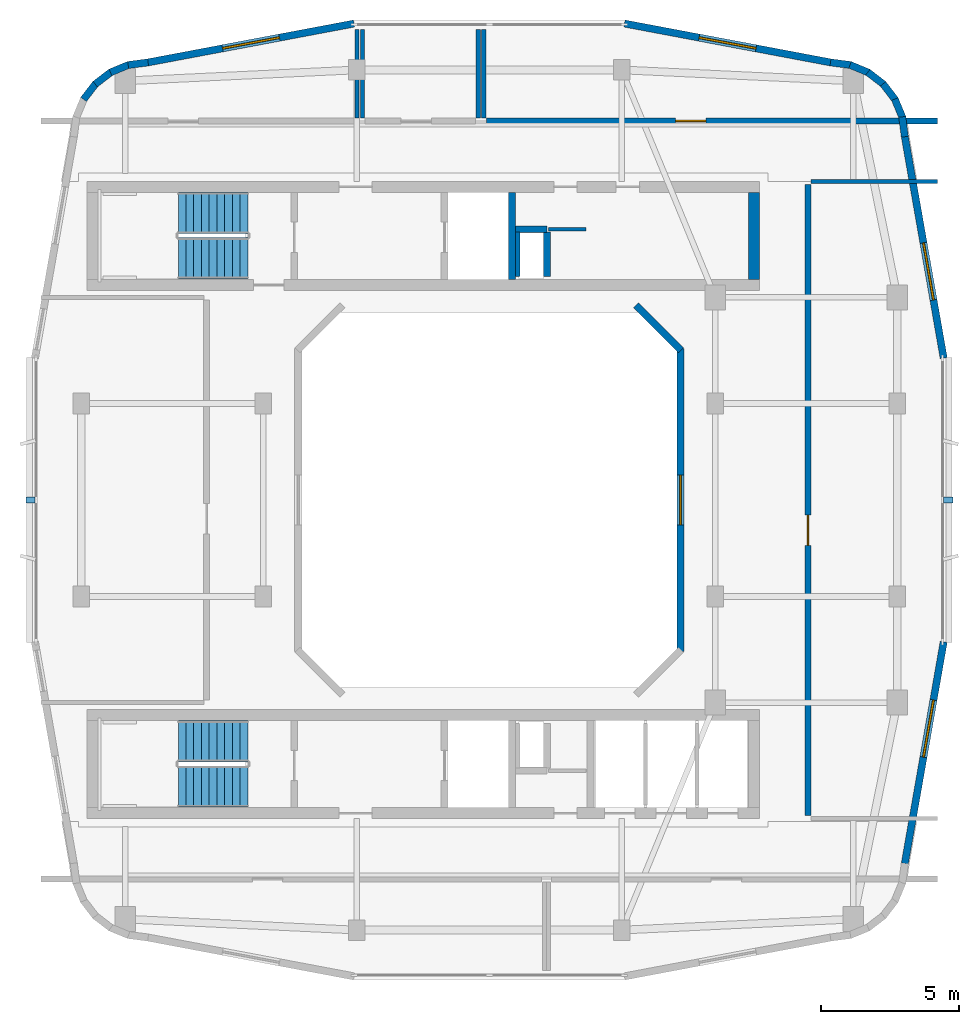
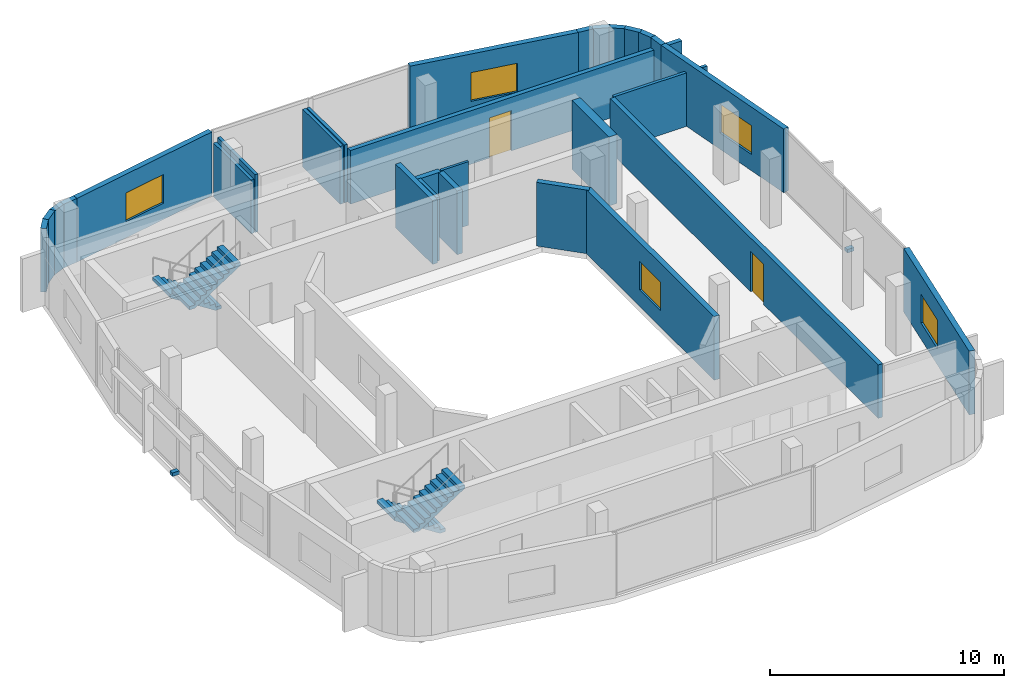
# One storey, part 5 of 8: 29 walls, 5 windows, 4 stair flights, 2 discrete accessories, 2 doors, 7 openings, 2 elements without a shape of their own.
"""IFC4 building model written with IfcOpenShell, lengths in metres."""

from ifc_helpers import new_model, si_unit, derived_unit, direction, frame, frame_2d, origin, origin_2d, place, context, subcontext, project, spatial, polyline, rectangle, outline, extrude, material, layer, layer_set, type_object, element, fill, aggregate, save


model = new_model("IFC4")

# Units and contexts
model_context = context("Model", 3, precision=1e-05, world=origin(), true_north=direction((0.0, 1.0)))
body_context = subcontext(model_context, "Body", "Model", "MODEL_VIEW")
ifc_project = project(units=[si_unit("LENGTHUNIT", "METRE"), si_unit("AREAUNIT", "SQUARE_METRE"), si_unit("VOLUMEUNIT", "CUBIC_METRE"), si_unit("PLANEANGLEUNIT", "RADIAN"), si_unit("MASSUNIT", "GRAM", prefix="KILO"), derived_unit("THERMALTRANSMITTANCEUNIT", [(si_unit("POWERUNIT", "WATT"), 1), (si_unit("LENGTHUNIT", "METRE"), -2), (si_unit("THERMODYNAMICTEMPERATUREUNIT", "KELVIN"), -1)])], contexts=[model_context])

# Site, building, storey
site_placement = place(None, origin())
site = spatial("IfcSite", under=ifc_project, at=site_placement, CompositionType="ELEMENT")
building_placement = place(site_placement, origin())
building = spatial("IfcBuilding", under=site, at=building_placement, Name="Kivonza Crest Hotel", CompositionType="ELEMENT")
storey_placement = place(building_placement, frame((0.0, 0.0, 268.39990234375)))
storey = spatial("IfcBuildingStorey", under=building, at=storey_placement, Name="L73", CompositionType="ELEMENT", Elevation=268.39990234375)

# Wall, opening, door
ifc_material_1 = material(Name="Autoclaved aerated concrete blockwork", Category="masonry")
ifc_layer_1 = layer(ifc_material_1, 0.219970703125)
ifc_layer_set_1 = layer_set([ifc_layer_1], Name="Autoclaved aerated concrete blockwork")
wall_type_1 = type_object("IfcWallType", Name="WL-ACOU-220", PredefinedType="SOLIDWALL", material=ifc_layer_set_1)
wall_1_placement = place(storey_placement, frame((32.56005859375, 13.550048828125, 0.0), z_axis=(0.0, 0.0, 1.0), x_axis=(0.0, 1.0, 0.0)))
wall_1 = element("IfcWall", 1, at=wall_1_placement, inside=storey, type_object=wall_type_1, Name="L73 interior partition WA-L73-OBSGAL-W", PredefinedType="SOLIDWALL", context=body_context, shape_type="SweptSolid", body=[
    extrude(rectangle(XDim=22.89990234375, YDim=0.219970703125, at=frame_2d((11.449951171875, 0.0))), origin(), (0.0, 0.0, 1.0), 2.795166015625),
])
opening_1_placement = place(wall_1_placement, frame((9.800048828125, 0.0, 0.0)))
opening_1 = element("IfcOpeningElement", 2, at=opening_1_placement, cuts=wall_1, Name="Opening DF-60M", PredefinedType="OPENING", context=body_context, shape_type="SweptSolid", body=[
    extrude(rectangle(XDim=1.10009765625, YDim=2.10009765625, at=frame_2d((0.550048828125, 1.050048828125))), frame((0.0, 0.1201171875, 0.0), z_axis=(0.0, -1.0, 0.0), x_axis=(1.0, 0.0, 0.0)), (0.0, 0.0, 1.0), 0.239990234375),
])
ifc_material_2 = material(Name="Hardwood timber oak", Category="wood")
door_type = type_object("IfcDoorType", Name="DR-FD60-1100", OperationType="NOTDEFINED", PredefinedType="DOOR", material=ifc_material_2)
door_1_placement = place(opening_1_placement, frame((1.10009765625, 0.0, 0.0), z_axis=(0.0, 0.0, 1.0), x_axis=(-1.0, 0.0, 0.0)))
door_1 = element("IfcDoor", 3, at=door_1_placement, inside=storey, type_object=door_type, Name="L73 Public Observation Gallery door", OperationType="SINGLE_SWING_LEFT", OverallHeight=2.10009765625, OverallWidth=1.10009765625, PredefinedType="DOOR", context=body_context, shape_type="SweptSolid", body=[
    extrude(rectangle(XDim=1.10009765625, YDim=2.10009765625, at=frame_2d((0.550048828125, 1.050048828125))), frame((0.0, 0.02490234375, 0.0), z_axis=(0.0, -1.0, 0.0), x_axis=(1.0, 0.0, 0.0)), (0.0, 0.0, 1.0), 0.050048828125),
])
fill(opening_1, door_1)

wall_2_placement = place(storey_placement, frame((20.89990234375, 38.75, 0.0), z_axis=(0.0, 0.0, 1.0), x_axis=(1.0, 0.0, 0.0)))
wall_2 = element("IfcWall", 4, at=wall_2_placement, inside=storey, type_object=wall_type_1, Name="L73 interior partition WA-L73-EXHIBE-S", PredefinedType="SOLIDWALL", context=body_context, shape_type="SweptSolid", body=[
    extrude(rectangle(XDim=16.360107421875, YDim=0.219970703125, at=frame_2d((8.18017578125, 0.0))), origin(), (0.0, 0.0, 1.0), 2.795166015625),
])
opening_2_placement = place(wall_2_placement, frame((6.85693359375, 0.0, 0.0)))
opening_2 = element("IfcOpeningElement", 5, at=opening_2_placement, cuts=wall_2, Name="Opening DF-60M", PredefinedType="OPENING", context=body_context, shape_type="SweptSolid", body=[
    extrude(rectangle(XDim=1.10009765625, YDim=2.10009765625, at=frame_2d((0.550048828125, 1.050048828125))), frame((0.0, 0.1201171875, 0.0), z_axis=(0.0, -1.0, 0.0), x_axis=(1.0, 0.0, 0.0)), (0.0, 0.0, 1.0), 0.239990234375),
])
door_2_placement = place(opening_2_placement, origin())
door_2 = element("IfcDoor", 6, at=door_2_placement, inside=storey, type_object=door_type, Name="L73 North Observation Salon door", OperationType="SINGLE_SWING_LEFT", OverallHeight=2.10009765625, OverallWidth=1.10009765625, PredefinedType="DOOR", context=body_context, shape_type="SweptSolid", body=[
    extrude(rectangle(XDim=1.10009765625, YDim=2.10009765625, at=frame_2d((0.550048828125, 1.050048828125))), frame((0.0, 0.02490234375, 0.0), z_axis=(0.0, -1.0, 0.0), x_axis=(1.0, 0.0, 0.0)), (0.0, 0.0, 1.0), 0.050048828125),
])
fill(opening_2, door_2)

# Wall
ifc_material_3 = material(Name="Concrete C50/60", Category="concrete")
ifc_layer_2 = layer(ifc_material_3, 0.39990234375)
ifc_layer_set_2 = layer_set([ifc_layer_2], Name="Concrete C50/60")
wall_type_2 = type_object("IfcWallType", Name="WL-CORE-400", PredefinedType="SHEAR", material=ifc_layer_set_2)
wall_3_placement = place(storey_placement, frame((30.60009765625, 33.0, 0.0), z_axis=(0.0, 0.0, 1.0), x_axis=(0.0, 1.0, 0.0)))
element("IfcWall", 7, at=wall_3_placement, inside=storey, type_object=wall_type_2, Name="Core wall T1-N East L73", PredefinedType="SHEAR", context=body_context, shape_type="SweptSolid", body=[
    extrude(rectangle(XDim=3.159912109375, YDim=0.39990234375, at=frame_2d((1.580078125, 0.0))), origin(), (0.0, 0.0, 1.0), 3.60009765625),
])

# Wall, opening, window
ifc_material_4 = material(Name="Precast concrete C40/50", Category="concrete")
ifc_layer_3 = layer(ifc_material_4, 0.260009765625)
ifc_layer_set_3 = layer_set([ifc_layer_3], Name="Precast concrete C40/50")
wall_type_3 = type_object("IfcWallType", Name="WL-EXT-260", PredefinedType="STANDARD", material=ifc_layer_set_3)
wall_4_placement = place(storey_placement, frame((36.071044921875, 11.81396484375, 0.0), z_axis=(0.0, 0.0, 1.0), x_axis=(0.172801004781, 0.98495675679, 0.0)))
wall_4 = element("IfcWall", 8, at=wall_4_placement, inside=storey, type_object=wall_type_3, Name="L73 T1 exterior insulated wall 16", PredefinedType="STANDARD", context=body_context, shape_type="SweptSolid", body=[
    extrude(rectangle(XDim=8.164794921875, YDim=0.260009765625, at=frame_2d((4.08251953125, 0.0))), origin(), (0.0, 0.0, 1.0), 3.320068359375),
])
opening_3_placement = place(wall_4_placement, frame((3.9208984375, 0.0, 0.85009765625)))
opening_3 = element("IfcOpeningElement", 9, at=opening_3_placement, cuts=wall_4, Name="Opening WN-04", PredefinedType="OPENING", context=body_context, shape_type="SweptSolid", body=[
    extrude(rectangle(XDim=2.10009765625, YDim=1.5, at=frame_2d((1.050048828125, 0.75))), frame((0.0, 0.14013671875, 0.0), z_axis=(0.0, -1.0, 0.0), x_axis=(1.0, 0.0, 0.0)), (0.0, 0.0, 1.0), 0.280029296875),
])
ifc_material_5 = material(Name="Thermally broken bronze aluminium and low-E double glazing", Category="aluminium")
window_type_1 = type_object("IfcWindowType", Name="WN-210x150", PartitioningType="DOUBLE_PANEL_VERTICAL", PredefinedType="WINDOW", material=ifc_material_5)
window_1_placement = place(opening_3_placement, origin())
window_1 = element("IfcWindow", 10, at=window_1_placement, inside=storey, type_object=window_type_1, Name="L73 T1 facade window 16", OverallHeight=1.5, OverallWidth=2.10009765625, PartitioningType="SINGLE_PANEL", PredefinedType="WINDOW", context=body_context, shape_type="SweptSolid", body=[
    extrude(rectangle(XDim=2.10009765625, YDim=1.5, at=frame_2d((1.050048828125, 0.75))), frame((0.0, 0.030029296875, 0.0), z_axis=(0.0, -1.0, 0.0), x_axis=(1.0, 0.0, 0.0)), (0.0, 0.0, 1.0), 0.06005859375),
])
fill(opening_3, window_1)

wall_5_placement = place(storey_placement, frame((37.48193359375, 30.14404296875, 0.0), z_axis=(0.0, 0.0, 1.0), x_axis=(-0.172801004781, 0.98495675679, 0.0)))
wall_5 = element("IfcWall", 11, at=wall_5_placement, inside=storey, type_object=wall_type_3, Name="L73 T1 exterior insulated wall 18", PredefinedType="STANDARD", context=body_context, shape_type="SweptSolid", body=[
    extrude(rectangle(XDim=8.164794921875, YDim=0.260009765625, at=frame_2d((4.08251953125, 0.0))), origin(), (0.0, 0.0, 1.0), 3.320068359375),
])
opening_4_placement = place(wall_5_placement, frame((2.14404296875, 0.0, 0.85009765625)))
opening_4 = element("IfcOpeningElement", 12, at=opening_4_placement, cuts=wall_5, Name="Opening WN-04", PredefinedType="OPENING", context=body_context, shape_type="SweptSolid", body=[
    extrude(rectangle(XDim=2.10009765625, YDim=1.5, at=frame_2d((1.050048828125, 0.75))), frame((0.0, 0.14013671875, 0.0), z_axis=(0.0, -1.0, 0.0), x_axis=(1.0, 0.0, 0.0)), (0.0, 0.0, 1.0), 0.280029296875),
])
window_2_placement = place(opening_4_placement, origin())
window_2 = element("IfcWindow", 13, at=window_2_placement, inside=storey, type_object=window_type_1, Name="L73 T1 facade window 18", OverallHeight=1.5, OverallWidth=2.10009765625, PartitioningType="SINGLE_PANEL", PredefinedType="WINDOW", context=body_context, shape_type="SweptSolid", body=[
    extrude(rectangle(XDim=2.10009765625, YDim=1.5, at=frame_2d((1.050048828125, 0.75))), frame((0.0, 0.030029296875, 0.0), z_axis=(0.0, -1.0, 0.0), x_axis=(1.0, 0.0, 0.0)), (0.0, 0.0, 1.0), 0.06005859375),
])
fill(opening_4, window_2)

# Walls
wall_6_placement = place(storey_placement, frame((36.072021484375, 38.175048828125, 0.0), z_axis=(0.0, 0.0, 1.0), x_axis=(-0.130255288807, 0.991480488834, 0.0)))
element("IfcWall", 14, at=wall_6_placement, inside=storey, type_object=wall_type_3, Name="L73 T1 exterior insulated wall 19", PredefinedType="STANDARD", context=body_context, shape_type="SweptSolid", body=[
    extrude(rectangle(XDim=0.72900390625, YDim=0.260009765625, at=frame_2d((0.364501953125, 0.0))), origin(), (0.0, 0.0, 1.0), 3.320068359375),
])
for number, where, z_axis, x_axis, name in (
    (15, (35.9951171875, 38.85205078125, 0.0), (0.0, 0.0, 1.0), (-0.383546213491, 0.923521684703, 0.0), "L73 T1 exterior insulated wall 20"),
    (16, (35.737060546875, 39.5009765625, 0.0), (0.0, 0.0, 1.0), (-0.608603261071, 0.793474681772, 0.0), "L73 T1 exterior insulated wall 21"),
    (17, (35.321044921875, 40.06201171875, 0.0), (0.0, 0.0, 1.0), (-0.793474681772, 0.608603261071, 0.0), "L73 T1 exterior insulated wall 22"),
):
    element("IfcWall", number, at=place(storey_placement, frame(where, z_axis=z_axis, x_axis=x_axis)), inside=storey, type_object=wall_type_3, Name=name, PredefinedType="STANDARD", context=body_context, shape_type="SweptSolid", body=[
        extrude(rectangle(XDim=0.74609375, YDim=0.260009765625, at=frame_2d((0.373046875, 0.0))), origin(), (0.0, 0.0, 1.0), 3.320068359375),
    ])
wall_7_placement = place(storey_placement, frame((34.77294921875, 40.4951171875, 0.0), z_axis=(0.0, 0.0, 1.0), x_axis=(-0.923637576129, 0.383267045233, 0.0)))
element("IfcWall", 18, at=wall_7_placement, inside=storey, type_object=wall_type_3, Name="L73 T1 exterior insulated wall 23", PredefinedType="STANDARD", context=body_context, shape_type="SweptSolid", body=[
    extrude(rectangle(XDim=0.745849609375, YDim=0.260009765625, at=frame_2d((0.373046875, 0.0))), origin(), (0.0, 0.0, 1.0), 3.320068359375),
])
wall_8_placement = place(storey_placement, frame((34.133056640625, 40.77294921875, 0.0), z_axis=(0.0, 0.0, 1.0), x_axis=(-0.991559404866, 0.129653178221, 0.0)))
element("IfcWall", 19, at=wall_8_placement, inside=storey, type_object=wall_type_3, Name="L73 T1 exterior insulated wall 24", PredefinedType="STANDARD", context=body_context, shape_type="SweptSolid", body=[
    extrude(rectangle(XDim=0.764404296875, YDim=0.260009765625, at=frame_2d((0.38232421875, 0.0))), origin(), (0.0, 0.0, 1.0), 3.320068359375),
])

# Wall, opening, window
wall_9_placement = place(storey_placement, frame((33.384033203125, 40.87109375, 0.0), z_axis=(0.0, 0.0, 1.0), x_axis=(-0.982680718126, 0.185306789468, 0.0)))
wall_9 = element("IfcWall", 20, at=wall_9_placement, inside=storey, type_object=wall_type_3, Name="L73 T1 exterior insulated wall 25", PredefinedType="STANDARD", context=body_context, shape_type="SweptSolid", body=[
    extrude(rectangle(XDim=7.61376953125, YDim=0.260009765625, at=frame_2d((3.806884765625, 0.0))), origin(), (0.0, 0.0, 1.0), 3.320068359375),
])
opening_5_placement = place(wall_9_placement, frame((2.757080078125, 0.0, 0.85009765625)))
opening_5 = element("IfcOpeningElement", 21, at=opening_5_placement, cuts=wall_9, Name="Opening WN-04", PredefinedType="OPENING", context=body_context, shape_type="SweptSolid", body=[
    extrude(rectangle(XDim=2.10009765625, YDim=1.5, at=frame_2d((1.050048828125, 0.75))), frame((0.0, 0.14013671875, 0.0), z_axis=(0.0, -1.0, 0.0), x_axis=(1.0, 0.0, 0.0)), (0.0, 0.0, 1.0), 0.280029296875),
])
window_3_placement = place(opening_5_placement, origin())
window_3 = element("IfcWindow", 22, at=window_3_placement, inside=storey, type_object=window_type_1, Name="L73 T1 facade window 25", OverallHeight=1.5, OverallWidth=2.10009765625, PartitioningType="SINGLE_PANEL", PredefinedType="WINDOW", context=body_context, shape_type="SweptSolid", body=[
    extrude(rectangle(XDim=2.10009765625, YDim=1.5, at=frame_2d((1.050048828125, 0.75))), frame((0.0, 0.030029296875, 0.0), z_axis=(0.0, -1.0, 0.0), x_axis=(1.0, 0.0, 0.0)), (0.0, 0.0, 1.0), 0.06005859375),
])
fill(opening_5, window_3)

wall_10_placement = place(storey_placement, frame((16.097900390625, 42.281982421875, 0.0), z_axis=(0.0, 0.0, 1.0), x_axis=(-0.982680718126, -0.185306789468, 0.0)))
wall_10 = element("IfcWall", 23, at=wall_10_placement, inside=storey, type_object=wall_type_3, Name="L73 T1 exterior insulated wall 27", PredefinedType="STANDARD", context=body_context, shape_type="SweptSolid", body=[
    extrude(rectangle(XDim=7.61376953125, YDim=0.260009765625, at=frame_2d((3.806884765625, 0.0))), origin(), (0.0, 0.0, 1.0), 3.320068359375),
])
opening_6_placement = place(wall_10_placement, frame((2.757080078125, 0.0, 0.85009765625)))
opening_6 = element("IfcOpeningElement", 24, at=opening_6_placement, cuts=wall_10, Name="Opening WN-04", PredefinedType="OPENING", context=body_context, shape_type="SweptSolid", body=[
    extrude(rectangle(XDim=2.10009765625, YDim=1.5, at=frame_2d((1.050048828125, 0.75))), frame((0.0, 0.14013671875, 0.0), z_axis=(0.0, -1.0, 0.0), x_axis=(1.0, 0.0, 0.0)), (0.0, 0.0, 1.0), 0.280029296875),
])
window_4_placement = place(opening_6_placement, origin())
window_4 = element("IfcWindow", 25, at=window_4_placement, inside=storey, type_object=window_type_1, Name="L73 T1 facade window 27", OverallHeight=1.5, OverallWidth=2.10009765625, PartitioningType="SINGLE_PANEL", PredefinedType="WINDOW", context=body_context, shape_type="SweptSolid", body=[
    extrude(rectangle(XDim=2.10009765625, YDim=1.5, at=frame_2d((1.050048828125, 0.75))), frame((0.0, 0.030029296875, 0.0), z_axis=(0.0, -1.0, 0.0), x_axis=(1.0, 0.0, 0.0)), (0.0, 0.0, 1.0), 0.06005859375),
])
fill(opening_6, window_4)

# Walls
wall_11_placement = place(storey_placement, frame((8.625, 40.8720703125, 0.0), z_axis=(0.0, 0.0, 1.0), x_axis=(-0.991480488834, -0.130255288807, 0.0)))
element("IfcWall", 26, at=wall_11_placement, inside=storey, type_object=wall_type_3, Name="L73 T1 exterior insulated wall 28", PredefinedType="STANDARD", context=body_context, shape_type="SweptSolid", body=[
    extrude(rectangle(XDim=0.72900390625, YDim=0.260009765625, at=frame_2d((0.364501953125, 0.0))), origin(), (0.0, 0.0, 1.0), 3.320068359375),
])
wall_12_placement = place(storey_placement, frame((7.947998046875, 40.794921875, 0.0), z_axis=(0.0, 0.0, 1.0), x_axis=(-0.923637576129, -0.383267045233, 0.0)))
element("IfcWall", 27, at=wall_12_placement, inside=storey, type_object=wall_type_3, Name="L73 T1 exterior insulated wall 29", PredefinedType="STANDARD", context=body_context, shape_type="SweptSolid", body=[
    extrude(rectangle(XDim=0.745849609375, YDim=0.260009765625, at=frame_2d((0.373046875, 0.0))), origin(), (0.0, 0.0, 1.0), 3.320068359375),
])
for number, where, z_axis, x_axis, name in (
    (28, (7.299072265625, 40.537109375, 0.0), (0.0, 0.0, 1.0), (-0.793474681772, -0.608603261071, 0.0), "L73 T1 exterior insulated wall 30"),
    (29, (6.738037109375, 40.12109375, 0.0), (0.0, 0.0, 1.0), (-0.608603261071, -0.793474681772, 0.0), "L73 T1 exterior insulated wall 31"),
):
    element("IfcWall", number, at=place(storey_placement, frame(where, z_axis=z_axis, x_axis=x_axis)), inside=storey, type_object=wall_type_3, Name=name, PredefinedType="STANDARD", context=body_context, shape_type="SweptSolid", body=[
        extrude(rectangle(XDim=0.74609375, YDim=0.260009765625, at=frame_2d((0.373046875, 0.0))), origin(), (0.0, 0.0, 1.0), 3.320068359375),
    ])

# Wall, opening, window
wall_13_placement = place(storey_placement, frame((27.929931640625, 19.510009765625, 0.0), z_axis=(0.0, 0.0, 1.0), x_axis=(0.0, 1.0, 0.0)))
wall_13 = element("IfcWall", 30, at=wall_13_placement, inside=storey, type_object=wall_type_3, Name="L73 T1 light-well exterior wall 3", PredefinedType="STANDARD", context=body_context, shape_type="SweptSolid", body=[
    extrude(rectangle(XDim=10.97998046875, YDim=0.260009765625, at=frame_2d((5.489990234375, 0.0))), origin(), (0.0, 0.0, 1.0), 3.320068359375),
])
opening_7_placement = place(wall_13_placement, frame((4.590087890625, 0.0, 0.85009765625)))
opening_7 = element("IfcOpeningElement", 31, at=opening_7_placement, cuts=wall_13, Name="Opening WN-03", PredefinedType="OPENING", context=body_context, shape_type="SweptSolid", body=[
    extrude(rectangle(XDim=1.800048828125, YDim=1.5, at=frame_2d((0.89990234375, 0.75))), frame((0.0, 0.14013671875, 0.0), z_axis=(0.0, -1.0, 0.0), x_axis=(1.0, 0.0, 0.0)), (0.0, 0.0, 1.0), 0.280029296875),
])
window_type_2 = type_object("IfcWindowType", Name="WN-180x150", PartitioningType="DOUBLE_PANEL_VERTICAL", PredefinedType="WINDOW", material=ifc_material_5)
window_5_placement = place(opening_7_placement, origin())
window_5 = element("IfcWindow", 32, at=window_5_placement, inside=storey, type_object=window_type_2, Name="L73 T1 light-well window 3", OverallHeight=1.5, OverallWidth=1.800048828125, PartitioningType="SINGLE_PANEL", PredefinedType="WINDOW", context=body_context, shape_type="SweptSolid", body=[
    extrude(rectangle(XDim=1.800048828125, YDim=1.5, at=frame_2d((0.89990234375, 0.75))), frame((0.0, 0.030029296875, 0.0), z_axis=(0.0, -1.0, 0.0), x_axis=(1.0, 0.0, 0.0)), (0.0, 0.0, 1.0), 0.06005859375),
])
fill(opening_7, window_5)

# Walls
wall_14_placement = place(storey_placement, frame((27.9560546875, 30.427978515625, 0.0), z_axis=(0.0, 0.0, 1.0), x_axis=(-0.707106781187, 0.707106781187, 0.0)))
element("IfcWall", 33, at=wall_14_placement, inside=storey, type_object=wall_type_3, Name="L73 T1 light-well exterior wall 4", PredefinedType="STANDARD", context=body_context, shape_type="SweptSolid", body=[
    extrude(rectangle(XDim=2.310791015625, YDim=0.260009765625, at=frame_2d((1.1552734375, 0.0))), origin(), (0.0, 0.0, 1.0), 3.320068359375),
])
ifc_material_6 = material(Name="Concrete blockwork fire-compartment wall", Category="masonry")
ifc_layer_4 = layer(ifc_material_6, 0.25)
ifc_layer_set_4 = layer_set([ifc_layer_4], Name="Concrete blockwork fire-compartment wall")
wall_type_4 = type_object("IfcWallType", Name="WL-FIRE-250", PredefinedType="SOLIDWALL", material=ifc_layer_set_4)
wall_15_placement = place(storey_placement, frame((23.10009765625, 33.10009765625, 0.0), z_axis=(0.0, 0.0, 1.0), x_axis=(0.0, 1.0, 0.0)))
element("IfcWall", 34, at=wall_15_placement, inside=storey, type_object=wall_type_4, Name="L73 interior partition WA-L73-T1-N-MEPR-E", PredefinedType="SOLIDWALL", context=body_context, shape_type="SweptSolid", body=[
    extrude(rectangle(XDim=1.619873046875, YDim=0.25, at=frame_2d((0.81005859375, 0.0))), origin(), (0.0, 0.0, 1.0), 3.320068359375),
])
wall_16_placement = place(storey_placement, frame((21.949951171875, 34.820068359375, 0.0), z_axis=(0.0, 0.0, 1.0), x_axis=(1.0, 0.0, 0.0)))
element("IfcWall", 35, at=wall_16_placement, inside=storey, type_object=wall_type_4, Name="L73 interior partition WA-L73-T1-N-MEPR-H", PredefinedType="SOLIDWALL", context=body_context, shape_type="SweptSolid", body=[
    extrude(rectangle(XDim=1.150146484375, YDim=0.25, at=frame_2d((0.5751953125, 0.0))), origin(), (0.0, 0.0, 1.0), 3.320068359375),
])
ifc_material_7 = material(Name="Metal-stud gypsum board partition", Category="gypsum")
ifc_layer_5 = layer(ifc_material_7, 0.125)
ifc_layer_set_5 = layer_set([ifc_layer_5], Name="Metal-stud gypsum board partition")
wall_type_5 = type_object("IfcWallType", Name="WL-PART-125", PredefinedType="PARTITIONING", material=ifc_layer_set_5)
wall_17_placement = place(storey_placement, frame((23.14990234375, 34.820068359375, 0.0), z_axis=(0.0, 0.0, 1.0), x_axis=(1.0, 0.0, 0.0)))
element("IfcWall", 36, at=wall_17_placement, inside=storey, type_object=wall_type_5, Name="L73 interior partition WP-L73-T1-N-SV2H", PredefinedType="PARTITIONING", context=body_context, shape_type="SweptSolid", body=[
    extrude(rectangle(XDim=1.35009765625, YDim=0.125, at=frame_2d((0.675048828125, 0.0))), origin(), (0.0, 0.0, 1.0), 3.320068359375),
])
ifc_material_8 = material(Name="Twin-stud acoustic gypsum board partition", Category="gypsum")
ifc_layer_6 = layer(ifc_material_8, 0.14990234375)
ifc_layer_set_6 = layer_set([ifc_layer_6], Name="Twin-stud acoustic gypsum board partition")
wall_type_6 = type_object("IfcWallType", Name="WL-PART-150", PredefinedType="PARTITIONING", material=ifc_layer_set_6)
wall_18_placement = place(storey_placement, frame((22.030029296875, 33.10009765625, 0.0), z_axis=(0.0, 0.0, 1.0), x_axis=(0.0, 1.0, 0.0)))
element("IfcWall", 37, at=wall_18_placement, inside=storey, type_object=wall_type_6, Name="L73 interior partition WA-L73-T1-N-MEPR-W", PredefinedType="PARTITIONING", context=body_context, shape_type="SweptSolid", body=[
    extrude(rectangle(XDim=1.619873046875, YDim=0.14990234375, at=frame_2d((0.81005859375, 0.0))), origin(), (0.0, 0.0, 1.0), 3.320068359375),
])
wall_19_placement = place(storey_placement, frame((32.659912109375, 36.550048828125, 0.0), z_axis=(0.0, 0.0, 1.0), x_axis=(1.0, 0.0, 0.0)))
element("IfcWall", 38, at=wall_19_placement, inside=storey, type_object=wall_type_6, Name="L73 interior partition WP-L73-OBSGAL-BN", PredefinedType="PARTITIONING", context=body_context, shape_type="SweptSolid", body=[
    extrude(rectangle(XDim=4.60009765625, YDim=0.14990234375, at=frame_2d((2.300048828125, 0.0))), origin(), (0.0, 0.0, 1.0), 2.795166015625),
])
wall_20_placement = place(storey_placement, frame((16.199951171875, 38.85009765625, 0.0), z_axis=(0.0, 0.0, 1.0), x_axis=(0.0, 1.0, 0.0)))
element("IfcWall", 39, at=wall_20_placement, inside=storey, type_object=wall_type_6, Name="L73 interior partition WP-L73-EXHIB-BE", PredefinedType="PARTITIONING", context=body_context, shape_type="SweptSolid", body=[
    extrude(rectangle(XDim=3.2099609375, YDim=0.14990234375, at=frame_2d((1.60498046875, 0.0))), origin(), (0.0, 0.0, 1.0), 2.795166015625),
])
for number, where, z_axis, x_axis, name in (
    (40, (16.39990234375, 38.85009765625, 0.0), (0.0, 0.0, 1.0), (0.0, 1.0, 0.0), "L73 interior partition WP-L73-CRAWC-BW"),
    (41, (20.60009765625, 38.85009765625, 0.0), (0.0, 0.0, 1.0), (0.0, 1.0, 0.0), "L73 interior partition WP-L73-CRAWC-BE"),
    (42, (20.800048828125, 38.85009765625, 0.0), (0.0, 0.0, 1.0), (0.0, 1.0, 0.0), "L73 interior partition WP-L73-EXHIBE-BW"),
):
    element("IfcWall", number, at=place(storey_placement, frame(where, z_axis=z_axis, x_axis=x_axis)), inside=storey, type_object=wall_type_6, Name=name, PredefinedType="PARTITIONING", context=body_context, shape_type="SweptSolid", body=[
        extrude(rectangle(XDim=3.2099609375, YDim=0.14990234375, at=frame_2d((1.60498046875, 0.0))), origin(), (0.0, 0.0, 1.0), 3.01513671875),
    ])
ifc_layer_7 = layer(ifc_material_3, 0.25)
ifc_layer_set_7 = layer_set([ifc_layer_7], Name="Concrete C50/60")
wall_type_7 = type_object("IfcWallType", Name="WL-SHAFT-250", PredefinedType="STANDARD", material=ifc_layer_set_7)
wall_21_placement = place(storey_placement, frame((21.824951171875, 33.0, 0.0), z_axis=(0.0, 0.0, 1.0), x_axis=(0.0, 1.0, 0.0)))
element("IfcWall", 43, at=wall_21_placement, inside=storey, type_object=wall_type_7, Name="Core shaft wall T1-N FFL-E L73", PredefinedType="STANDARD", context=body_context, shape_type="SweptSolid", body=[
    extrude(rectangle(XDim=3.159912109375, YDim=0.25, at=frame_2d((1.580078125, 0.0))), origin(), (0.0, 0.0, 1.0), 3.320068359375),
])

# Stair, stair flights
ifc_material_9 = material(Name="Concrete C40/50", Category="concrete")
stair_type = type_object("IfcStairType", Name="ST-DL-20R", PredefinedType="HALF_TURN_STAIR", material=ifc_material_9)
stair_1_placement = place(storey_placement, origin())
stair_1 = element("IfcStair", 44, at=stair_1_placement, inside=storey, type_object=stair_type, Name="L73 Protected Exit Stair ST-T1-N", PredefinedType="HALF_TURN_STAIR")
stair_flight_type = type_object("IfcStairFlightType", Name="SFL-RC-10R", PredefinedType="STRAIGHT", material=ifc_material_9)
stair_flight_1_placement = place(storey_placement, frame((12.239990234375, 35.409912109375, 0.0), z_axis=(0.0, 0.0, 1.0), x_axis=(-1.0, 0.0, 0.0)))
stair_flight_1 = element("IfcStairFlight", 45, at=stair_flight_1_placement, type_object=stair_flight_type, Name="ST-T1-N flight 1", NumberOfRisers=10, NumberOfTreads=9, PredefinedType="STRAIGHT", RiserHeight=0.18, TreadLength=0.28, context=body_context, shape_type="SweptSolid", body=[
    extrude(outline(polyline([(0.0, 0.0), (0.0, 0.179931640625), (0.280029296875, 0.179931640625), (0.280029296875, 0.360107421875), (0.56005859375, 0.360107421875), (0.56005859375, 0.5400390625), (0.840087890625, 0.5400390625), (0.840087890625, 0.719970703125), (1.1201171875, 0.719970703125), (1.1201171875, 0.89990234375), (1.39990234375, 0.89990234375), (1.39990234375, 1.080078125), (1.679931640625, 1.080078125), (1.679931640625, 1.260009765625), (1.9599609375, 1.260009765625), (1.9599609375, 1.43994140625), (2.239990234375, 1.43994140625), (2.239990234375, 1.6201171875), (2.52001953125, 1.6201171875), (2.52001953125, 1.800048828125), (2.52001953125, 1.44189453125), (0.277099609375, 0.0), (0.0, 0.0)])), frame((0.0, 0.75, 0.0), z_axis=(0.0, -1.0, 0.0), x_axis=(1.0, 0.0, 0.0)), (0.0, 0.0, 1.0), 1.5),
])
stair_flight_2_placement = place(storey_placement, frame((9.719970703125, 33.77001953125, 1.800048828125), z_axis=(0.0, 0.0, 1.0), x_axis=(1.0, 0.0, 0.0)))
stair_flight_2 = element("IfcStairFlight", 46, at=stair_flight_2_placement, type_object=stair_flight_type, Name="ST-T1-N flight 2", NumberOfRisers=10, NumberOfTreads=9, PredefinedType="STRAIGHT", RiserHeight=0.18, TreadLength=0.28, context=body_context, shape_type="SweptSolid", body=[
    extrude(outline(polyline([(0.0, 0.0), (0.0, 0.179931640625), (0.280029296875, 0.179931640625), (0.280029296875, 0.360107421875), (0.56005859375, 0.360107421875), (0.56005859375, 0.5400390625), (0.840087890625, 0.5400390625), (0.840087890625, 0.719970703125), (1.1201171875, 0.719970703125), (1.1201171875, 0.89990234375), (1.39990234375, 0.89990234375), (1.39990234375, 1.080078125), (1.679931640625, 1.080078125), (1.679931640625, 1.260009765625), (1.9599609375, 1.260009765625), (1.9599609375, 1.43994140625), (2.239990234375, 1.43994140625), (2.239990234375, 1.6201171875), (2.52001953125, 1.6201171875), (2.52001953125, 1.800048828125), (2.52001953125, 1.44189453125), (0.277099609375, 0.0), (0.0, 0.0)])), frame((0.0, 0.75, 0.0), z_axis=(0.0, -1.0, 0.0), x_axis=(1.0, 0.0, 0.0)), (0.0, 0.0, 1.0), 1.5),
])
aggregate(stair_1, [stair_flight_1, stair_flight_2])

stair_2_placement = place(storey_placement, origin())
stair_2 = element("IfcStair", 47, at=stair_2_placement, inside=storey, type_object=stair_type, Name="L73 Protected Exit Stair ST-T1-S", PredefinedType="HALF_TURN_STAIR")
stair_flight_3_placement = place(storey_placement, frame((12.239990234375, 16.25, 0.0), z_axis=(0.0, 0.0, 1.0), x_axis=(-1.0, 0.0, 0.0)))
stair_flight_3 = element("IfcStairFlight", 48, at=stair_flight_3_placement, type_object=stair_flight_type, Name="ST-T1-S flight 1", NumberOfRisers=10, NumberOfTreads=9, PredefinedType="STRAIGHT", RiserHeight=0.18, TreadLength=0.28, context=body_context, shape_type="SweptSolid", body=[
    extrude(outline(polyline([(0.0, 0.0), (0.0, 0.179931640625), (0.280029296875, 0.179931640625), (0.280029296875, 0.360107421875), (0.56005859375, 0.360107421875), (0.56005859375, 0.5400390625), (0.840087890625, 0.5400390625), (0.840087890625, 0.719970703125), (1.1201171875, 0.719970703125), (1.1201171875, 0.89990234375), (1.39990234375, 0.89990234375), (1.39990234375, 1.080078125), (1.679931640625, 1.080078125), (1.679931640625, 1.260009765625), (1.9599609375, 1.260009765625), (1.9599609375, 1.43994140625), (2.239990234375, 1.43994140625), (2.239990234375, 1.6201171875), (2.52001953125, 1.6201171875), (2.52001953125, 1.800048828125), (2.52001953125, 1.44189453125), (0.277099609375, 0.0), (0.0, 0.0)])), frame((0.0, 0.75, 0.0), z_axis=(0.0, -1.0, 0.0), x_axis=(1.0, 0.0, 0.0)), (0.0, 0.0, 1.0), 1.5),
])
stair_flight_4_placement = place(storey_placement, frame((9.719970703125, 14.610107421875, 1.800048828125), z_axis=(0.0, 0.0, 1.0), x_axis=(1.0, 0.0, 0.0)))
stair_flight_4 = element("IfcStairFlight", 49, at=stair_flight_4_placement, type_object=stair_flight_type, Name="ST-T1-S flight 2", NumberOfRisers=10, NumberOfTreads=9, PredefinedType="STRAIGHT", RiserHeight=0.18, TreadLength=0.28, context=body_context, shape_type="SweptSolid", body=[
    extrude(outline(polyline([(0.0, 0.0), (0.0, 0.179931640625), (0.280029296875, 0.179931640625), (0.280029296875, 0.360107421875), (0.56005859375, 0.360107421875), (0.56005859375, 0.5400390625), (0.840087890625, 0.5400390625), (0.840087890625, 0.719970703125), (1.1201171875, 0.719970703125), (1.1201171875, 0.89990234375), (1.39990234375, 0.89990234375), (1.39990234375, 1.080078125), (1.679931640625, 1.080078125), (1.679931640625, 1.260009765625), (1.9599609375, 1.260009765625), (1.9599609375, 1.43994140625), (2.239990234375, 1.43994140625), (2.239990234375, 1.6201171875), (2.52001953125, 1.6201171875), (2.52001953125, 1.800048828125), (2.52001953125, 1.44189453125), (0.277099609375, 0.0), (0.0, 0.0)])), frame((0.0, 0.75, 0.0), z_axis=(0.0, -1.0, 0.0), x_axis=(1.0, 0.0, 0.0)), (0.0, 0.0, 1.0), 1.5),
])
aggregate(stair_2, [stair_flight_3, stair_flight_4])

# Discrete accessories
ifc_material_10 = material(Name="Stainless steel 316", Category="steel")
discrete_accessory_type = type_object("IfcDiscreteAccessoryType", Name="AC-BRACKET-240", PredefinedType="BRACKET", material=ifc_material_10)
for number, where, z_axis, x_axis, name in (
    (50, (37.639892578125, 25.0, -0.009765625), (0.0, 0.0, 1.0), (0.0, 1.0, 0.0), "L73 terracotta baguette support bracket CW-T1-L73-17"),
    (51, (4.360107421875, 25.0, -0.009765625), (0.0, 0.0, 1.0), (0.0, -1.0, 0.0), "L73 terracotta baguette support bracket CW-T1-L73-35"),
):
    element("IfcDiscreteAccessory", number, at=place(storey_placement, frame(where, z_axis=z_axis, x_axis=x_axis)), inside=storey, type_object=discrete_accessory_type, Name=name, PredefinedType="BRACKET", context=body_context, shape_type="SweptSolid", body=[
        extrude(rectangle(XDim=0.219970703125, YDim=0.340087890625, at=origin_2d()), origin(), (0.0, 0.0, 1.0), 0.179931640625),
    ])

save(model, "model.ifc")
